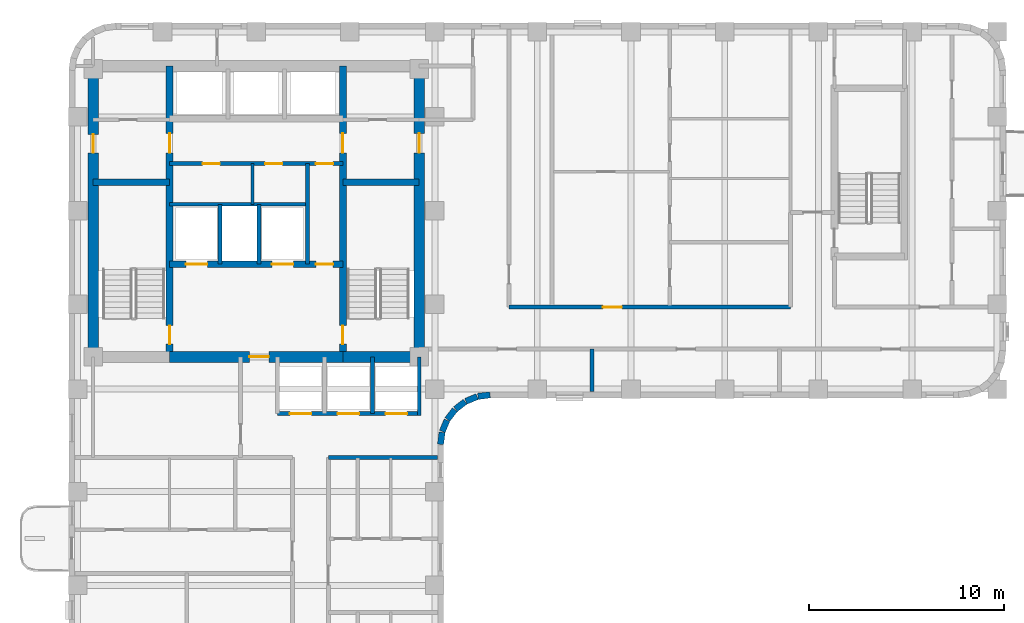
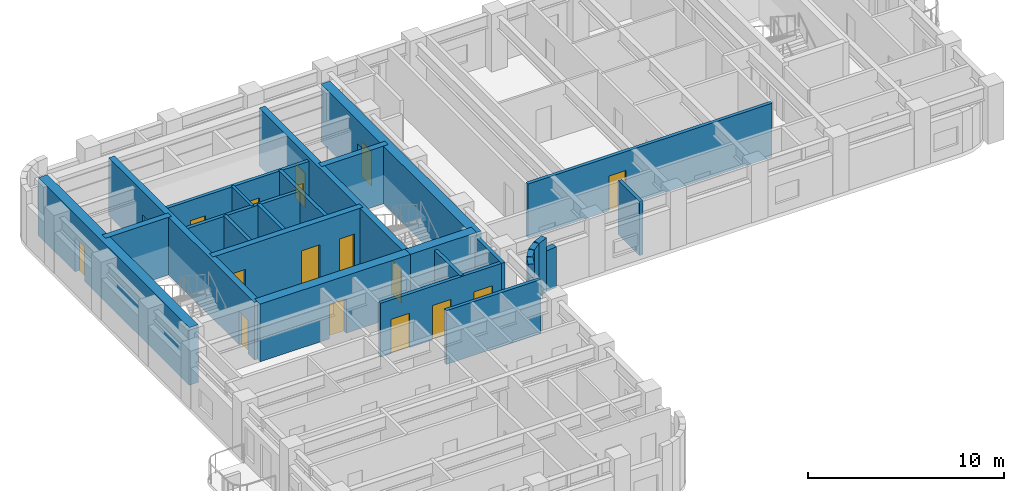
# One storey, part 4 of 10: 27 walls, 17 doors, 17 openings.
"""IFC4 building model written with IfcOpenShell, lengths in metres."""

from ifc_helpers import new_model, si_unit, direction, frame, frame_2d, origin, place, context, subcontext, project, spatial, rectangle, extrude, material, layer, layer_set, type_object, element, fill, save


model = new_model("IFC4")

# Units and contexts
model_context = context("Model", 3, precision=1e-05, world=origin(), true_north=direction((0.0, 1.0)))
body_context = subcontext(model_context, "Body", "Model", "MODEL_VIEW")
ifc_project = project(units=[si_unit("LENGTHUNIT", "METRE"), si_unit("AREAUNIT", "SQUARE_METRE"), si_unit("VOLUMEUNIT", "CUBIC_METRE"), si_unit("PLANEANGLEUNIT", "RADIAN"), si_unit("MASSUNIT", "GRAM", prefix="KILO")], contexts=[model_context])

# Site, building, storey
site_placement = place(None, origin())
site = spatial("IfcSite", under=ifc_project, at=site_placement, CompositionType="ELEMENT")
building_placement = place(site_placement, origin())
building = spatial("IfcBuilding", under=site, at=building_placement, Name="Orvandelia Arch Residences", CompositionType="ELEMENT")
storey_placement = place(building_placement, frame((0.0, 0.0, 132.39990234375)))
storey = spatial("IfcBuildingStorey", under=building, at=storey_placement, Name="L34", CompositionType="ELEMENT", Elevation=132.39990234375)

# Wall, openings, doors
ifc_material_1 = material(Name="Concrete C50/60", Category="concrete")
ifc_layer_1 = layer(ifc_material_1, 0.35009765625, Name="Concrete C50/60", Category="concrete")
ifc_layer_set_1 = layer_set([ifc_layer_1], Name="Concrete C50/60")
wall_type_1 = type_object("IfcWallType", Name="WL-CORE-350", PredefinedType="SHEAR", material=ifc_layer_set_1)
wall_1_placement = place(storey_placement, frame((9.9599609375, 30.89990234375, 0.0), z_axis=(0.0, 0.0, 1.0), x_axis=(0.0, 1.0, 0.0)))
wall_1 = element("IfcWall", 1, at=wall_1_placement, inside=storey, type_object=wall_type_1, Name="Core Shear Wall L34-WEB1", PredefinedType="SHEAR", context=body_context, shape_type="SweptSolid", body=[
    extrude(rectangle(XDim=14.900146484375, YDim=0.35009765625, at=frame_2d((7.4501953125, 0.0))), origin(), (0.0, 0.0, 1.0), 3.60009765625),
])
opening_1_placement = place(wall_1_placement, frame((0.64990234375, 0.0, 0.0)))
opening_1 = element("IfcOpeningElement", 2, at=opening_1_placement, cuts=wall_1, Name="Opening D7", PredefinedType="OPENING", context=body_context, shape_type="SweptSolid", body=[
    extrude(rectangle(XDim=0.949951171875, YDim=2.10009765625, at=frame_2d((0.47509765625, 1.050048828125))), frame((0.0, 0.18505859375, 0.0), z_axis=(0.0, -1.0, 0.0), x_axis=(1.0, 0.0, 0.0)), (0.0, 0.0, 1.0), 0.3701171875),
])
opening_2_placement = place(wall_1_placement, frame((10.449951171875, 0.0, 0.0)))
opening_2 = element("IfcOpeningElement", 3, at=opening_2_placement, cuts=wall_1, Name="Opening D6", PredefinedType="OPENING", context=body_context, shape_type="SweptSolid", body=[
    extrude(rectangle(XDim=1.0, YDim=2.14990234375, at=frame_2d((0.5, 1.074951171875))), frame((0.0, 0.18505859375, 0.0), z_axis=(0.0, -1.0, 0.0), x_axis=(1.0, 0.0, 0.0)), (0.0, 0.0, 1.0), 0.3701171875),
])
ifc_material_2 = material(Name="Smokeproof Painted Steel Fire Door", Category="steel")
door_type_1 = type_object("IfcDoorType", Name="DR-FD60-1000", OperationType="NOTDEFINED", PredefinedType="DOOR", material=ifc_material_2)
door_1_placement = place(opening_2_placement, origin())
door_1 = element("IfcDoor", 4, at=door_1_placement, inside=storey, type_object=door_type_1, Name="High-Rise Lift Hall West Vestibule Door L34", OperationType="SINGLE_SWING_LEFT", OverallHeight=2.14990234375, OverallWidth=1.0, PredefinedType="DOOR", context=body_context, shape_type="SweptSolid", body=[
    extrude(rectangle(XDim=1.0, YDim=2.14990234375, at=frame_2d((0.5, 1.074951171875))), frame((0.0, 0.02490234375, 0.0), z_axis=(0.0, -1.0, 0.0), x_axis=(1.0, 0.0, 0.0)), (0.0, 0.0, 1.0), 0.050048828125),
])
fill(opening_2, door_1)
ifc_material_3 = material(Name="Pressurised Stairwell Fire Door")
door_type_2 = type_object("IfcDoorType", Name="DR-STAIR-950", OperationType="NOTDEFINED", PredefinedType="DOOR", material=ifc_material_3)
door_2_placement = place(opening_1_placement, origin())
door_2 = element("IfcDoor", 5, at=door_2_placement, inside=storey, type_object=door_type_2, Name="Stairwell ST-1 Fire Door L34", OperationType="SINGLE_SWING_LEFT", OverallHeight=2.10009765625, OverallWidth=0.949951171875, PredefinedType="DOOR", context=body_context, shape_type="SweptSolid", body=[
    extrude(rectangle(XDim=0.949951171875, YDim=2.10009765625, at=frame_2d((0.47509765625, 1.050048828125))), frame((0.0, 0.02490234375, 0.0), z_axis=(0.0, -1.0, 0.0), x_axis=(1.0, 0.0, 0.0)), (0.0, 0.0, 1.0), 0.050048828125),
])
fill(opening_1, door_2)

wall_2_placement = place(storey_placement, frame((18.840087890625, 30.89990234375, 0.0), z_axis=(0.0, 0.0, 1.0), x_axis=(0.0, 1.0, 0.0)))
wall_2 = element("IfcWall", 6, at=wall_2_placement, inside=storey, type_object=wall_type_1, Name="Core Shear Wall L34-WEB2", PredefinedType="SHEAR", context=body_context, shape_type="SweptSolid", body=[
    extrude(rectangle(XDim=14.900146484375, YDim=0.35009765625, at=frame_2d((7.4501953125, 0.0))), origin(), (0.0, 0.0, 1.0), 3.60009765625),
])
opening_3_placement = place(wall_2_placement, frame((0.64990234375, 0.0, 0.0)))
opening_3 = element("IfcOpeningElement", 7, at=opening_3_placement, cuts=wall_2, Name="Opening D7", PredefinedType="OPENING", context=body_context, shape_type="SweptSolid", body=[
    extrude(rectangle(XDim=0.949951171875, YDim=2.10009765625, at=frame_2d((0.47509765625, 1.050048828125))), frame((0.0, 0.18505859375, 0.0), z_axis=(0.0, -1.0, 0.0), x_axis=(1.0, 0.0, 0.0)), (0.0, 0.0, 1.0), 0.3701171875),
])
opening_4_placement = place(wall_2_placement, frame((10.449951171875, 0.0, 0.0)))
opening_4 = element("IfcOpeningElement", 8, at=opening_4_placement, cuts=wall_2, Name="Opening D6", PredefinedType="OPENING", context=body_context, shape_type="SweptSolid", body=[
    extrude(rectangle(XDim=1.0, YDim=2.14990234375, at=frame_2d((0.5, 1.074951171875))), frame((0.0, 0.18505859375, 0.0), z_axis=(0.0, -1.0, 0.0), x_axis=(1.0, 0.0, 0.0)), (0.0, 0.0, 1.0), 0.3701171875),
])
door_3_placement = place(opening_4_placement, origin())
door_3 = element("IfcDoor", 9, at=door_3_placement, inside=storey, type_object=door_type_1, Name="High-Rise Lift Hall East Vestibule Door L34", OperationType="SINGLE_SWING_RIGHT", OverallHeight=2.14990234375, OverallWidth=1.0, PredefinedType="DOOR", context=body_context, shape_type="SweptSolid", body=[
    extrude(rectangle(XDim=1.0, YDim=2.14990234375, at=frame_2d((0.5, 1.074951171875))), frame((0.0, 0.02490234375, 0.0), z_axis=(0.0, -1.0, 0.0), x_axis=(1.0, 0.0, 0.0)), (0.0, 0.0, 1.0), 0.050048828125),
])
fill(opening_4, door_3)
door_4_placement = place(opening_3_placement, origin())
door_4 = element("IfcDoor", 10, at=door_4_placement, inside=storey, type_object=door_type_2, Name="Stairwell ST-2 Fire Door L34", OperationType="SINGLE_SWING_RIGHT", OverallHeight=2.10009765625, OverallWidth=0.949951171875, PredefinedType="DOOR", context=body_context, shape_type="SweptSolid", body=[
    extrude(rectangle(XDim=0.949951171875, YDim=2.10009765625, at=frame_2d((0.47509765625, 1.050048828125))), frame((0.0, 0.02490234375, 0.0), z_axis=(0.0, -1.0, 0.0), x_axis=(1.0, 0.0, 0.0)), (0.0, 0.0, 1.0), 0.050048828125),
])
fill(opening_3, door_4)

# Walls
for number, where, z_axis, x_axis, name in (
    (11, (6.050048828125, 39.85009765625, 0.0), (0.0, 0.0, 1.0), (1.0, 0.0, 0.0), "Core Shear Wall L34-HZ1"),
    (12, (18.840087890625, 39.85009765625, 0.0), (0.0, 0.0, 1.0), (1.0, 0.0, 0.0), "Core Shear Wall L34-HZ2"),
):
    element("IfcWall", number, at=place(storey_placement, frame(where, z_axis=z_axis, x_axis=x_axis)), inside=storey, type_object=wall_type_1, Name=name, PredefinedType="SHEAR", context=body_context, shape_type="SweptSolid", body=[
        extrude(rectangle(XDim=3.909912109375, YDim=0.35009765625, at=frame_2d((1.955078125, 0.0))), origin(), (0.0, 0.0, 1.0), 3.60009765625),
    ])

# Wall, openings, doors
wall_3_placement = place(storey_placement, frame((9.9599609375, 35.64990234375, 0.0), z_axis=(0.0, 0.0, 1.0), x_axis=(1.0, 0.0, 0.0)))
wall_3 = element("IfcWall", 13, at=wall_3_placement, inside=storey, type_object=wall_type_1, Name="Core Shear Wall L34-HZ3", PredefinedType="SHEAR", context=body_context, shape_type="SweptSolid", body=[
    extrude(rectangle(XDim=8.880126953125, YDim=0.35009765625, at=frame_2d((4.43994140625, 0.0))), origin(), (0.0, 0.0, 1.0), 3.60009765625),
])
opening_5_placement = place(wall_3_placement, frame((0.840087890625, 0.0, 0.0)))
opening_5 = element("IfcOpeningElement", 14, at=opening_5_placement, cuts=wall_3, Name="Opening FLD", PredefinedType="OPENING", context=body_context, shape_type="SweptSolid", body=[
    extrude(rectangle(XDim=1.10009765625, YDim=2.14990234375, at=frame_2d((0.550048828125, 1.074951171875))), frame((0.0, 0.18505859375, 0.0), z_axis=(0.0, -1.0, 0.0), x_axis=(1.0, 0.0, 0.0)), (0.0, 0.0, 1.0), 0.3701171875),
])
opening_6_placement = place(wall_3_placement, frame((5.239990234375, 0.0, 0.0)))
opening_6 = element("IfcOpeningElement", 15, at=opening_6_placement, cuts=wall_3, Name="Opening FLD", PredefinedType="OPENING", context=body_context, shape_type="SweptSolid", body=[
    extrude(rectangle(XDim=1.10009765625, YDim=2.14990234375, at=frame_2d((0.550048828125, 1.074951171875))), frame((0.0, 0.18505859375, 0.0), z_axis=(0.0, -1.0, 0.0), x_axis=(1.0, 0.0, 0.0)), (0.0, 0.0, 1.0), 0.3701171875),
])
opening_7_placement = place(wall_3_placement, frame((7.5, 0.0, 0.0)))
opening_7 = element("IfcOpeningElement", 16, at=opening_7_placement, cuts=wall_3, Name="Opening D5", PredefinedType="OPENING", context=body_context, shape_type="SweptSolid", body=[
    extrude(rectangle(XDim=0.8798828125, YDim=2.10009765625, at=frame_2d((0.43994140625, 1.050048828125))), frame((0.0, 0.18505859375, 0.0), z_axis=(0.0, -1.0, 0.0), x_axis=(1.0, 0.0, 0.0)), (0.0, 0.0, 1.0), 0.3701171875),
])
ifc_material_4 = material(Name="Firefighting Lift Stainless Sliding Door")
door_type_3 = type_object("IfcDoorType", Name="DR-FLFT-1100", OperationType="NOTDEFINED", PredefinedType="DOOR", material=ifc_material_4)
door_5_placement = place(opening_5_placement, origin())
door_5 = element("IfcDoor", 17, at=door_5_placement, inside=storey, type_object=door_type_3, Name="Firefighting Lift Landing Door FLD-FL1-L34", OperationType="SLIDING_TO_LEFT", OverallHeight=2.14990234375, OverallWidth=1.10009765625, PredefinedType="DOOR", context=body_context, shape_type="SweptSolid", body=[
    extrude(rectangle(XDim=1.10009765625, YDim=2.14990234375, at=frame_2d((0.550048828125, 1.074951171875))), frame((0.0, 0.02490234375, 0.0), z_axis=(0.0, -1.0, 0.0), x_axis=(1.0, 0.0, 0.0)), (0.0, 0.0, 1.0), 0.050048828125),
])
fill(opening_5, door_5)
door_6_placement = place(opening_6_placement, origin())
door_6 = element("IfcDoor", 18, at=door_6_placement, inside=storey, type_object=door_type_3, Name="Firefighting Lift Landing Door FLD-FL2-L34", OperationType="SLIDING_TO_RIGHT", OverallHeight=2.14990234375, OverallWidth=1.10009765625, PredefinedType="DOOR", context=body_context, shape_type="SweptSolid", body=[
    extrude(rectangle(XDim=1.10009765625, YDim=2.14990234375, at=frame_2d((0.550048828125, 1.074951171875))), frame((0.0, 0.02490234375, 0.0), z_axis=(0.0, -1.0, 0.0), x_axis=(1.0, 0.0, 0.0)), (0.0, 0.0, 1.0), 0.050048828125),
])
fill(opening_6, door_6)
ifc_material_5 = material(Name="Painted Galvanised Steel Service Door", Category="steel")
door_type_4 = type_object("IfcDoorType", Name="DR-SRV-880", OperationType="NOTDEFINED", PredefinedType="DOOR", material=ifc_material_5)
door_7_placement = place(opening_7_placement, origin())
door_7 = element("IfcDoor", 19, at=door_7_placement, inside=storey, type_object=door_type_4, Name="Core Stairway Passage South Fire Door L34", OperationType="SINGLE_SWING_LEFT", OverallHeight=2.10009765625, OverallWidth=0.8798828125, PredefinedType="DOOR", context=body_context, shape_type="SweptSolid", body=[
    extrude(rectangle(XDim=0.8798828125, YDim=2.10009765625, at=frame_2d((0.43994140625, 1.050048828125))), frame((0.0, 0.02490234375, 0.0), z_axis=(0.0, -1.0, 0.0), x_axis=(1.0, 0.0, 0.0)), (0.0, 0.0, 1.0), 0.050048828125),
])
fill(opening_7, door_7)

# Wall, opening, door
ifc_material_6 = material(Name="Concrete C60/75", Category="concrete")
ifc_layer_2 = layer(ifc_material_6, 0.550048828125, Name="Concrete C60/75", Category="concrete")
ifc_layer_set_2 = layer_set([ifc_layer_2], Name="Concrete C60/75")
wall_type_2 = type_object("IfcWallType", Name="WL-CORE-550", PredefinedType="SHEAR", material=ifc_layer_set_2)
wall_4_placement = place(storey_placement, frame((6.050048828125, 30.625, 0.0), z_axis=(0.0, 0.0, 1.0), x_axis=(0.0, 1.0, 0.0)))
wall_4 = element("IfcWall", 20, at=wall_4_placement, inside=storey, type_object=wall_type_2, Name="Core Shear Wall L34-W", PredefinedType="SHEAR", context=body_context, shape_type="SweptSolid", body=[
    extrude(rectangle(XDim=15.449951171875, YDim=0.550048828125, at=frame_2d((7.72509765625, 0.0))), origin(), (0.0, 0.0, 1.0), 3.60009765625),
])
opening_8_placement = place(wall_4_placement, frame((10.72509765625, 0.0, 0.0)))
opening_8 = element("IfcOpeningElement", 21, at=opening_8_placement, cuts=wall_4, Name="Opening D2", PredefinedType="OPENING", context=body_context, shape_type="SweptSolid", body=[
    extrude(rectangle(XDim=0.949951171875, YDim=2.14990234375, at=frame_2d((0.47509765625, 1.074951171875))), frame((0.0, 0.28515625, 0.0), z_axis=(0.0, -1.0, 0.0), x_axis=(1.0, 0.0, 0.0)), (0.0, 0.0, 1.0), 0.570068359375),
])
ifc_material_7 = material(Name="Solid-Core Timber Interior Fire Door", Category="wood")
door_type_5 = type_object("IfcDoorType", Name="DR-APT-950", OperationType="NOTDEFINED", PredefinedType="DOOR", material=ifc_material_7)
door_8_placement = place(opening_8_placement, origin())
door_8 = element("IfcDoor", 22, at=door_8_placement, inside=storey, type_object=door_type_5, Name="West Viewing Study Door L34", OperationType="SINGLE_SWING_RIGHT", OverallHeight=2.14990234375, OverallWidth=0.949951171875, PredefinedType="DOOR", context=body_context, shape_type="SweptSolid", body=[
    extrude(rectangle(XDim=0.949951171875, YDim=2.14990234375, at=frame_2d((0.47509765625, 1.074951171875))), frame((0.0, 0.02490234375, 0.0), z_axis=(0.0, -1.0, 0.0), x_axis=(1.0, 0.0, 0.0)), (0.0, 0.0, 1.0), 0.050048828125),
])
fill(opening_8, door_8)

wall_5_placement = place(storey_placement, frame((22.75, 30.625, 0.0), z_axis=(0.0, 0.0, 1.0), x_axis=(0.0, 1.0, 0.0)))
wall_5 = element("IfcWall", 23, at=wall_5_placement, inside=storey, type_object=wall_type_2, Name="Core Shear Wall L34-E", PredefinedType="SHEAR", context=body_context, shape_type="SweptSolid", body=[
    extrude(rectangle(XDim=15.449951171875, YDim=0.550048828125, at=frame_2d((7.72509765625, 0.0))), origin(), (0.0, 0.0, 1.0), 3.60009765625),
])
opening_9_placement = place(wall_5_placement, frame((10.72509765625, 0.0, 0.0)))
opening_9 = element("IfcOpeningElement", 24, at=opening_9_placement, cuts=wall_5, Name="Opening D6", PredefinedType="OPENING", context=body_context, shape_type="SweptSolid", body=[
    extrude(rectangle(XDim=1.0, YDim=2.14990234375, at=frame_2d((0.5, 1.074951171875))), frame((0.0, 0.28515625, 0.0), z_axis=(0.0, -1.0, 0.0), x_axis=(1.0, 0.0, 0.0)), (0.0, 0.0, 1.0), 0.570068359375),
])
door_9_placement = place(opening_9_placement, origin())
door_9 = element("IfcDoor", 25, at=door_9_placement, inside=storey, type_object=door_type_1, Name="Core East Corridor Link Door L34", OperationType="SINGLE_SWING_LEFT", OverallHeight=2.14990234375, OverallWidth=1.0, PredefinedType="DOOR", context=body_context, shape_type="SweptSolid", body=[
    extrude(rectangle(XDim=1.0, YDim=2.14990234375, at=frame_2d((0.5, 1.074951171875))), frame((0.0, 0.02490234375, 0.0), z_axis=(0.0, -1.0, 0.0), x_axis=(1.0, 0.0, 0.0)), (0.0, 0.0, 1.0), 0.050048828125),
])
fill(opening_9, door_9)

wall_6_placement = place(storey_placement, frame((9.9599609375, 30.89990234375, 0.0), z_axis=(0.0, 0.0, 1.0), x_axis=(1.0, 0.0, 0.0)))
wall_6 = element("IfcWall", 26, at=wall_6_placement, inside=storey, type_object=wall_type_2, Name="Core Shear Wall L34-SM", PredefinedType="SHEAR", context=body_context, shape_type="SweptSolid", body=[
    extrude(rectangle(XDim=8.880126953125, YDim=0.550048828125, at=frame_2d((4.43994140625, 0.0))), origin(), (0.0, 0.0, 1.0), 3.60009765625),
])
opening_10_placement = place(wall_6_placement, frame((4.090087890625, 0.0, 0.0)))
opening_10 = element("IfcOpeningElement", 27, at=opening_10_placement, cuts=wall_6, Name="Opening D6", PredefinedType="OPENING", context=body_context, shape_type="SweptSolid", body=[
    extrude(rectangle(XDim=1.0, YDim=2.14990234375, at=frame_2d((0.5, 1.074951171875))), frame((0.0, 0.28515625, 0.0), z_axis=(0.0, -1.0, 0.0), x_axis=(1.0, 0.0, 0.0)), (0.0, 0.0, 1.0), 0.570068359375),
])
door_10_placement = place(opening_10_placement, origin())
door_10 = element("IfcDoor", 28, at=door_10_placement, inside=storey, type_object=door_type_1, Name="Firefighting Lobby Smokeproof Door L34", OperationType="SINGLE_SWING_LEFT", OverallHeight=2.14990234375, OverallWidth=1.0, PredefinedType="DOOR", context=body_context, shape_type="SweptSolid", body=[
    extrude(rectangle(XDim=1.0, YDim=2.14990234375, at=frame_2d((0.5, 1.074951171875))), frame((0.0, 0.02490234375, 0.0), z_axis=(0.0, -1.0, 0.0), x_axis=(1.0, 0.0, 0.0)), (0.0, 0.0, 1.0), 0.050048828125),
])
fill(opening_10, door_10)

# Walls
wall_7_placement = place(storey_placement, frame((18.840087890625, 30.89990234375, 0.0), z_axis=(0.0, 0.0, 1.0), x_axis=(1.0, 0.0, 0.0)))
element("IfcWall", 29, at=wall_7_placement, inside=storey, type_object=wall_type_2, Name="Core Shear Wall L34-SE", PredefinedType="SHEAR", context=body_context, shape_type="SweptSolid", body=[
    extrude(rectangle(XDim=3.909912109375, YDim=0.550048828125, at=frame_2d((1.955078125, 0.0))), origin(), (0.0, 0.0, 1.0), 3.60009765625),
])
ifc_material_8 = material(Name="Fire-Rated Corridor Partition")
ifc_layer_3 = layer(ifc_material_8, 0.199951171875, Name="Fire-Rated Corridor Partition")
ifc_layer_set_3 = layer_set([ifc_layer_3], Name="Fire-Rated Corridor Partition")
wall_type_3 = type_object("IfcWallType", Name="WL-CORR-200", PredefinedType="PARTITIONING", material=ifc_layer_set_3)
wall_8_placement = place(storey_placement, frame((18.10009765625, 25.75, 0.0), z_axis=(0.0, 0.0, 1.0), x_axis=(1.0, 0.0, 0.0)))
element("IfcWall", 30, at=wall_8_placement, inside=storey, type_object=wall_type_3, Name="Interior Partition Wall WL-L34-WCLS-E", PredefinedType="PARTITIONING", context=body_context, shape_type="SweptSolid", body=[
    extrude(rectangle(XDim=5.579833984375, YDim=0.199951171875, at=frame_2d((2.7900390625, 0.0))), origin(), (0.0, 0.0, 1.0), 3.360107421875),
])

# Wall, opening, door
wall_9_placement = place(storey_placement, frame((27.35009765625, 33.449951171875, 0.0), z_axis=(0.0, 0.0, 1.0), x_axis=(1.0, 0.0, 0.0)))
wall_9 = element("IfcWall", 31, at=wall_9_placement, inside=storey, type_object=wall_type_3, Name="Interior Partition Wall WL-L34-ES-N1", PredefinedType="PARTITIONING", context=body_context, shape_type="SweptSolid", body=[
    extrude(rectangle(XDim=14.429931640625, YDim=0.199951171875, at=frame_2d((7.21484375, 0.0))), origin(), (0.0, 0.0, 1.0), 3.360107421875),
])
opening_11_placement = place(wall_9_placement, frame((4.803466796875, 0.0, 0.0)))
opening_11 = element("IfcOpeningElement", 32, at=opening_11_placement, cuts=wall_9, Name="Opening D1", PredefinedType="OPENING", context=body_context, shape_type="SweptSolid", body=[
    extrude(rectangle(XDim=0.97998046875, YDim=2.179931640625, at=frame_2d((0.489990234375, 1.08984375))), frame((0.0, 0.10986328125, 0.0), z_axis=(0.0, -1.0, 0.0), x_axis=(1.0, 0.0, 0.0)), (0.0, 0.0, 1.0), 0.219970703125),
])
ifc_material_9 = material(Name="Solid-Core Timber Acoustic Fire Door", Category="wood")
door_type_6 = type_object("IfcDoorType", Name="DR-ENT-980", OperationType="NOTDEFINED", PredefinedType="DOOR", material=ifc_material_9)
door_11_placement = place(opening_11_placement, origin())
door_11 = element("IfcDoor", 33, at=door_11_placement, inside=storey, type_object=door_type_6, Name="Unit L34-06 Entrance Door", OperationType="SINGLE_SWING_RIGHT", OverallHeight=2.179931640625, OverallWidth=0.97998046875, PredefinedType="DOOR", context=body_context, shape_type="SweptSolid", body=[
    extrude(rectangle(XDim=0.97998046875, YDim=2.179931640625, at=frame_2d((0.489990234375, 1.08984375))), frame((0.0, 0.02490234375, 0.0), z_axis=(0.0, -1.0, 0.0), x_axis=(1.0, 0.0, 0.0)), (0.0, 0.0, 1.0), 0.050048828125),
])
fill(opening_11, door_11)

# Walls
ifc_material_10 = material(Name="Concrete C40/50", Category="concrete")
ifc_layer_4 = layer(ifc_material_10, 0.199951171875, Name="Concrete C40/50", Category="concrete")
ifc_layer_set_4 = layer_set([ifc_layer_4], Name="Concrete C40/50")
wall_type_4 = type_object("IfcWallType", Name="WL-DEM-200", PredefinedType="SOLIDWALL", material=ifc_layer_set_4)
wall_10_placement = place(storey_placement, frame((31.60009765625, 29.1201171875, 0.0), z_axis=(0.0, 0.0, 1.0), x_axis=(0.0, 1.0, 0.0)))
element("IfcWall", 34, at=wall_10_placement, inside=storey, type_object=wall_type_4, Name="Interior Partition Wall WL-L34-ESSD-1", PredefinedType="SOLIDWALL", context=body_context, shape_type="SweptSolid", body=[
    extrude(rectangle(XDim=2.179931640625, YDim=0.199951171875, at=frame_2d((1.08984375, 0.0))), origin(), (0.0, 0.0, 1.0), 3.360107421875),
])
ifc_material_11 = material(Name="Precast concrete C40/50", Category="concrete")
ifc_layer_5 = layer(ifc_material_11, 0.320068359375, Name="Precast concrete C40/50", Category="concrete")
ifc_layer_set_5 = layer_set([ifc_layer_5], Name="Precast concrete C40/50")
wall_type_5 = type_object("IfcWallType", Name="WL-EXT-STONE-320", PredefinedType="STANDARD", material=ifc_layer_set_5)
wall_11_placement = place(storey_placement, frame((26.379150390625, 28.95849609375, 0.0), z_axis=(0.0, 0.0, 1.0), x_axis=(-0.991447664465, -0.130504898859, 0.0)))
element("IfcWall", 35, at=wall_11_placement, inside=storey, type_object=wall_type_5, Name="Coral-Limestone Precast Facade Wall L34-022", PredefinedType="STANDARD", context=body_context, shape_type="SweptSolid", body=[
    extrude(rectangle(XDim=0.626708984375, YDim=0.320068359375, at=frame_2d((0.3134765625, 0.0))), origin(), (0.0, 0.0, 1.0), 2.5400390625),
])
wall_12_placement = place(storey_placement, frame((25.717529296875, 28.865966796875, 0.0), z_axis=(0.0, 0.0, 1.0), x_axis=(-0.923836271867, -0.382787856107, 0.0)))
element("IfcWall", 36, at=wall_12_placement, inside=storey, type_object=wall_type_5, Name="Coral-Limestone Precast Facade Wall L34-023", PredefinedType="STANDARD", context=body_context, shape_type="SweptSolid", body=[
    extrude(rectangle(XDim=0.626220703125, YDim=0.320068359375, at=frame_2d((0.31298828125, 0.0))), origin(), (0.0, 0.0, 1.0), 3.360107421875),
])
for number, where, z_axis, x_axis, name in (
    (37, (25.1025390625, 28.60546875, 0.0), (0.0, 0.0, 1.0), (-0.793405610854, -0.608693302629, 0.0), "Coral-Limestone Precast Facade Wall L34-024"),
    (38, (24.575927734375, 28.194580078125, 0.0), (0.0, 0.0, 1.0), (-0.608693302629, -0.793405610854, 0.0), "Coral-Limestone Precast Facade Wall L34-025"),
):
    element("IfcWall", number, at=place(storey_placement, frame(where, z_axis=z_axis, x_axis=x_axis)), inside=storey, type_object=wall_type_5, Name=name, PredefinedType="STANDARD", context=body_context, shape_type="SweptSolid", body=[
        extrude(rectangle(XDim=0.62646484375, YDim=0.320068359375, at=frame_2d((0.313232421875, 0.0))), origin(), (0.0, 0.0, 1.0), 3.360107421875),
    ])
wall_13_placement = place(storey_placement, frame((24.173583984375, 27.6611328125, 0.0), z_axis=(0.0, 0.0, 1.0), x_axis=(-0.382455093999, -0.923974080304, 0.0)))
element("IfcWall", 39, at=wall_13_placement, inside=storey, type_object=wall_type_5, Name="Coral-Limestone Precast Facade Wall L34-026", PredefinedType="STANDARD", context=body_context, shape_type="SweptSolid", body=[
    extrude(rectangle(XDim=0.626220703125, YDim=0.320068359375, at=frame_2d((0.31298828125, 0.0))), origin(), (0.0, 0.0, 1.0), 3.360107421875),
])
wall_14_placement = place(storey_placement, frame((23.923095703125, 27.0419921875, 0.0), z_axis=(0.0, 0.0, 1.0), x_axis=(-0.130555323746, -0.9914410257, 0.0)))
element("IfcWall", 40, at=wall_14_placement, inside=storey, type_object=wall_type_5, Name="Coral-Limestone Precast Facade Wall L34-027", PredefinedType="STANDARD", context=body_context, shape_type="SweptSolid", body=[
    extrude(rectangle(XDim=0.62646484375, YDim=0.320068359375, at=frame_2d((0.313232421875, 0.0))), origin(), (0.0, 0.0, 1.0), 2.5400390625),
])
ifc_material_12 = material(Name="Acoustic Gypsum Stud Partition")
ifc_layer_6 = layer(ifc_material_12, 0.14990234375, Name="Acoustic Gypsum Stud Partition")
ifc_layer_set_6 = layer_set([ifc_layer_6], Name="Acoustic Gypsum Stud Partition")
wall_type_6 = type_object("IfcWallType", Name="WL-PART-150", PredefinedType="PARTITIONING", material=ifc_layer_set_6)
wall_15_placement = place(storey_placement, frame((14.199951171875, 38.719970703125, 0.0), z_axis=(0.0, 0.0, 1.0), x_axis=(0.0, 1.0, 0.0)))
element("IfcWall", 41, at=wall_15_placement, inside=storey, type_object=wall_type_6, Name="Interior Partition Wall WL-L34-CSA-1", PredefinedType="PARTITIONING", context=body_context, shape_type="SweptSolid", body=[
    extrude(rectangle(XDim=2.080078125, YDim=0.14990234375, at=frame_2d((1.0400390625, 0.0))), origin(), (0.0, 0.0, 1.0), 3.360107421875),
])
ifc_material_13 = material(Name="Fire-Rated Shaft Enclosure Wall")
ifc_layer_7 = layer(ifc_material_13, 0.199951171875, Name="Fire-Rated Shaft Enclosure Wall")
ifc_layer_set_7 = layer_set([ifc_layer_7], Name="Fire-Rated Shaft Enclosure Wall")
wall_type_7 = type_object("IfcWallType", Name="WL-SHAFT-200", PredefinedType="POLYGONAL", material=ifc_layer_set_7)
wall_16_placement = place(storey_placement, frame((9.9599609375, 38.719970703125, 0.0), z_axis=(0.0, 0.0, 1.0), x_axis=(1.0, 0.0, 0.0)))
element("IfcWall", 42, at=wall_16_placement, inside=storey, type_object=wall_type_7, Name="Interior Partition Wall WL-L34-FLN", PredefinedType="POLYGONAL", context=body_context, shape_type="SweptSolid", body=[
    extrude(rectangle(XDim=7.06005859375, YDim=0.199951171875, at=frame_2d((3.530029296875, 0.0))), origin(), (0.0, 0.0, 1.0), 3.360107421875),
])
for number, where, z_axis, x_axis, name in (
    (43, (12.550048828125, 35.64990234375, 0.0), (0.0, 0.0, 1.0), (0.0, 1.0, 0.0), "Interior Partition Wall WL-L34-FLM1"),
    (44, (14.550048828125, 35.64990234375, 0.0), (0.0, 0.0, 1.0), (0.0, 1.0, 0.0), "Interior Partition Wall WL-L34-FLM2"),
):
    element("IfcWall", number, at=place(storey_placement, frame(where, z_axis=z_axis, x_axis=x_axis)), inside=storey, type_object=wall_type_7, Name=name, PredefinedType="POLYGONAL", context=body_context, shape_type="SweptSolid", body=[
        extrude(rectangle(XDim=3.070068359375, YDim=0.199951171875, at=frame_2d((1.53515625, 0.0))), origin(), (0.0, 0.0, 1.0), 3.360107421875),
    ])
wall_17_placement = place(storey_placement, frame((17.02001953125, 35.64990234375, 0.0), z_axis=(0.0, 0.0, 1.0), x_axis=(0.0, 1.0, 0.0)))
element("IfcWall", 45, at=wall_17_placement, inside=storey, type_object=wall_type_7, Name="Interior Partition Wall WL-L34-FLM3", PredefinedType="POLYGONAL", context=body_context, shape_type="SweptSolid", body=[
    extrude(rectangle(XDim=5.150146484375, YDim=0.199951171875, at=frame_2d((2.5751953125, 0.0))), origin(), (0.0, 0.0, 1.0), 3.360107421875),
])

# Wall, openings, doors
wall_18_placement = place(storey_placement, frame((9.9599609375, 40.800048828125, 0.0), z_axis=(0.0, 0.0, 1.0), x_axis=(1.0, 0.0, 0.0)))
wall_18 = element("IfcWall", 46, at=wall_18_placement, inside=storey, type_object=wall_type_7, Name="Interior Partition Wall WL-L34-HLH-S", PredefinedType="POLYGONAL", context=body_context, shape_type="SweptSolid", body=[
    extrude(rectangle(XDim=8.880126953125, YDim=0.199951171875, at=frame_2d((4.43994140625, 0.0))), origin(), (0.0, 0.0, 1.0), 3.360107421875),
])
opening_12_placement = place(wall_18_placement, frame((7.5, 0.0, 0.0)))
opening_12 = element("IfcOpeningElement", 47, at=opening_12_placement, cuts=wall_18, Name="Opening D5", PredefinedType="OPENING", context=body_context, shape_type="SweptSolid", body=[
    extrude(rectangle(XDim=0.8798828125, YDim=2.10009765625, at=frame_2d((0.43994140625, 1.050048828125))), frame((0.0, 0.10986328125, 0.0), z_axis=(0.0, -1.0, 0.0), x_axis=(1.0, 0.0, 0.0)), (0.0, 0.0, 1.0), 0.219970703125),
])
opening_13_placement = place(wall_18_placement, frame((1.699951171875, 0.0, 0.0)))
opening_13 = element("IfcOpeningElement", 48, at=opening_13_placement, cuts=wall_18, Name="Opening D5", PredefinedType="OPENING", context=body_context, shape_type="SweptSolid", body=[
    extrude(rectangle(XDim=0.8798828125, YDim=2.10009765625, at=frame_2d((0.43994140625, 1.050048828125))), frame((0.0, 0.10986328125, 0.0), z_axis=(0.0, -1.0, 0.0), x_axis=(1.0, 0.0, 0.0)), (0.0, 0.0, 1.0), 0.219970703125),
])
opening_14_placement = place(wall_18_placement, frame((4.89990234375, 0.0, 0.0)))
opening_14 = element("IfcOpeningElement", 49, at=opening_14_placement, cuts=wall_18, Name="Opening D5", PredefinedType="OPENING", context=body_context, shape_type="SweptSolid", body=[
    extrude(rectangle(XDim=0.8798828125, YDim=2.10009765625, at=frame_2d((0.43994140625, 1.050048828125))), frame((0.0, 0.10986328125, 0.0), z_axis=(0.0, -1.0, 0.0), x_axis=(1.0, 0.0, 0.0)), (0.0, 0.0, 1.0), 0.219970703125),
])
door_12_placement = place(opening_12_placement, origin())
door_12 = element("IfcDoor", 50, at=door_12_placement, inside=storey, type_object=door_type_4, Name="Core Stairway Passage North Fire Door L34", OperationType="SINGLE_SWING_RIGHT", OverallHeight=2.10009765625, OverallWidth=0.8798828125, PredefinedType="DOOR", context=body_context, shape_type="SweptSolid", body=[
    extrude(rectangle(XDim=0.8798828125, YDim=2.10009765625, at=frame_2d((0.43994140625, 1.050048828125))), frame((0.0, 0.02490234375, 0.0), z_axis=(0.0, -1.0, 0.0), x_axis=(1.0, 0.0, 0.0)), (0.0, 0.0, 1.0), 0.050048828125),
])
fill(opening_12, door_12)
door_13_placement = place(opening_13_placement, origin())
door_13 = element("IfcDoor", 51, at=door_13_placement, inside=storey, type_object=door_type_4, Name="DR-L34-CSA1", OperationType="SINGLE_SWING_LEFT", OverallHeight=2.10009765625, OverallWidth=0.8798828125, PredefinedType="DOOR", context=body_context, shape_type="SweptSolid", body=[
    extrude(rectangle(XDim=0.8798828125, YDim=2.10009765625, at=frame_2d((0.43994140625, 1.050048828125))), frame((0.0, 0.02490234375, 0.0), z_axis=(0.0, -1.0, 0.0), x_axis=(1.0, 0.0, 0.0)), (0.0, 0.0, 1.0), 0.050048828125),
])
fill(opening_13, door_13)
door_14_placement = place(opening_14_placement, origin())
door_14 = element("IfcDoor", 52, at=door_14_placement, inside=storey, type_object=door_type_4, Name="DR-L34-CSA2", OperationType="SINGLE_SWING_RIGHT", OverallHeight=2.10009765625, OverallWidth=0.8798828125, PredefinedType="DOOR", context=body_context, shape_type="SweptSolid", body=[
    extrude(rectangle(XDim=0.8798828125, YDim=2.10009765625, at=frame_2d((0.43994140625, 1.050048828125))), frame((0.0, 0.02490234375, 0.0), z_axis=(0.0, -1.0, 0.0), x_axis=(1.0, 0.0, 0.0)), (0.0, 0.0, 1.0), 0.050048828125),
])
fill(opening_14, door_14)

wall_19_placement = place(storey_placement, frame((15.5, 28.0, 0.0), z_axis=(0.0, 0.0, 1.0), x_axis=(1.0, 0.0, 0.0)))
wall_19 = element("IfcWall", 53, at=wall_19_placement, inside=storey, type_object=wall_type_7, Name="Interior Partition Wall WL-L34-BNKM-S", PredefinedType="POLYGONAL", context=body_context, shape_type="SweptSolid", body=[
    extrude(rectangle(XDim=7.25, YDim=0.199951171875, at=frame_2d((3.625, 0.0))), origin(), (0.0, 0.0, 1.0), 3.360107421875),
])
opening_15_placement = place(wall_19_placement, frame((0.625, 0.0, 0.0)))
opening_15 = element("IfcOpeningElement", 54, at=opening_15_placement, cuts=wall_19, Name="Opening LD", PredefinedType="OPENING", context=body_context, shape_type="SweptSolid", body=[
    extrude(rectangle(XDim=1.10009765625, YDim=2.14990234375, at=frame_2d((0.550048828125, 1.074951171875))), frame((0.0, 0.10986328125, 0.0), z_axis=(0.0, -1.0, 0.0), x_axis=(1.0, 0.0, 0.0)), (0.0, 0.0, 1.0), 0.219970703125),
])
opening_16_placement = place(wall_19_placement, frame((3.074951171875, 0.0, 0.0)))
opening_16 = element("IfcOpeningElement", 55, at=opening_16_placement, cuts=wall_19, Name="Opening LD", PredefinedType="OPENING", context=body_context, shape_type="SweptSolid", body=[
    extrude(rectangle(XDim=1.10009765625, YDim=2.14990234375, at=frame_2d((0.550048828125, 1.074951171875))), frame((0.0, 0.10986328125, 0.0), z_axis=(0.0, -1.0, 0.0), x_axis=(1.0, 0.0, 0.0)), (0.0, 0.0, 1.0), 0.219970703125),
])
opening_17_placement = place(wall_19_placement, frame((5.52490234375, 0.0, 0.0)))
opening_17 = element("IfcOpeningElement", 56, at=opening_17_placement, cuts=wall_19, Name="Opening LD", PredefinedType="OPENING", context=body_context, shape_type="SweptSolid", body=[
    extrude(rectangle(XDim=1.10009765625, YDim=2.14990234375, at=frame_2d((0.550048828125, 1.074951171875))), frame((0.0, 0.10986328125, 0.0), z_axis=(0.0, -1.0, 0.0), x_axis=(1.0, 0.0, 0.0)), (0.0, 0.0, 1.0), 0.219970703125),
])
ifc_material_14 = material(Name="Brushed Stainless Steel Sliding Lift Door", Category="steel")
door_type_7 = type_object("IfcDoorType", Name="DR-LIFT-1100", OperationType="NOTDEFINED", PredefinedType="DOOR", material=ifc_material_14)
door_15_placement = place(opening_15_placement, origin())
door_15 = element("IfcDoor", 57, at=door_15_placement, inside=storey, type_object=door_type_7, Name="Lift Landing Door LD-PM1", OperationType="SLIDING_TO_LEFT", OverallHeight=2.14990234375, OverallWidth=1.10009765625, PredefinedType="DOOR", context=body_context, shape_type="SweptSolid", body=[
    extrude(rectangle(XDim=1.10009765625, YDim=2.14990234375, at=frame_2d((0.550048828125, 1.074951171875))), frame((0.0, 0.02490234375, 0.0), z_axis=(0.0, -1.0, 0.0), x_axis=(1.0, 0.0, 0.0)), (0.0, 0.0, 1.0), 0.050048828125),
])
fill(opening_15, door_15)
door_16_placement = place(opening_16_placement, origin())
door_16 = element("IfcDoor", 58, at=door_16_placement, inside=storey, type_object=door_type_7, Name="Lift Landing Door LD-PM2", OperationType="SLIDING_TO_RIGHT", OverallHeight=2.14990234375, OverallWidth=1.10009765625, PredefinedType="DOOR", context=body_context, shape_type="SweptSolid", body=[
    extrude(rectangle(XDim=1.10009765625, YDim=2.14990234375, at=frame_2d((0.550048828125, 1.074951171875))), frame((0.0, 0.02490234375, 0.0), z_axis=(0.0, -1.0, 0.0), x_axis=(1.0, 0.0, 0.0)), (0.0, 0.0, 1.0), 0.050048828125),
])
fill(opening_16, door_16)
door_17_placement = place(opening_17_placement, origin())
door_17 = element("IfcDoor", 59, at=door_17_placement, inside=storey, type_object=door_type_7, Name="Lift Landing Door LD-PM3", OperationType="SLIDING_TO_LEFT", OverallHeight=2.14990234375, OverallWidth=1.10009765625, PredefinedType="DOOR", context=body_context, shape_type="SweptSolid", body=[
    extrude(rectangle(XDim=1.10009765625, YDim=2.14990234375, at=frame_2d((0.550048828125, 1.074951171875))), frame((0.0, 0.02490234375, 0.0), z_axis=(0.0, -1.0, 0.0), x_axis=(1.0, 0.0, 0.0)), (0.0, 0.0, 1.0), 0.050048828125),
])
fill(opening_17, door_17)

# Walls
wall_20_placement = place(storey_placement, frame((22.75, 27.89990234375, 0.0), z_axis=(0.0, 0.0, 1.0), x_axis=(0.0, 1.0, 0.0)))
element("IfcWall", 60, at=wall_20_placement, inside=storey, type_object=wall_type_7, Name="Interior Partition Wall WL-L34-BNKM-E", PredefinedType="POLYGONAL", context=body_context, shape_type="SweptSolid", body=[
    extrude(rectangle(XDim=3.0, YDim=0.199951171875, at=frame_2d((1.5, 0.0))), origin(), (0.0, 0.0, 1.0), 3.360107421875),
])
wall_21_placement = place(storey_placement, frame((20.35009765625, 28.0, 0.0), z_axis=(0.0, 0.0, 1.0), x_axis=(0.0, 1.0, 0.0)))
element("IfcWall", 61, at=wall_21_placement, inside=storey, type_object=wall_type_7, Name="Interior Partition Wall WL-L34-BNKMD-2035", PredefinedType="POLYGONAL", context=body_context, shape_type="SweptSolid", body=[
    extrude(rectangle(XDim=2.89990234375, YDim=0.199951171875, at=frame_2d((1.449951171875, 0.0))), origin(), (0.0, 0.0, 1.0), 3.360107421875),
])

save(model, "model.ifc")
